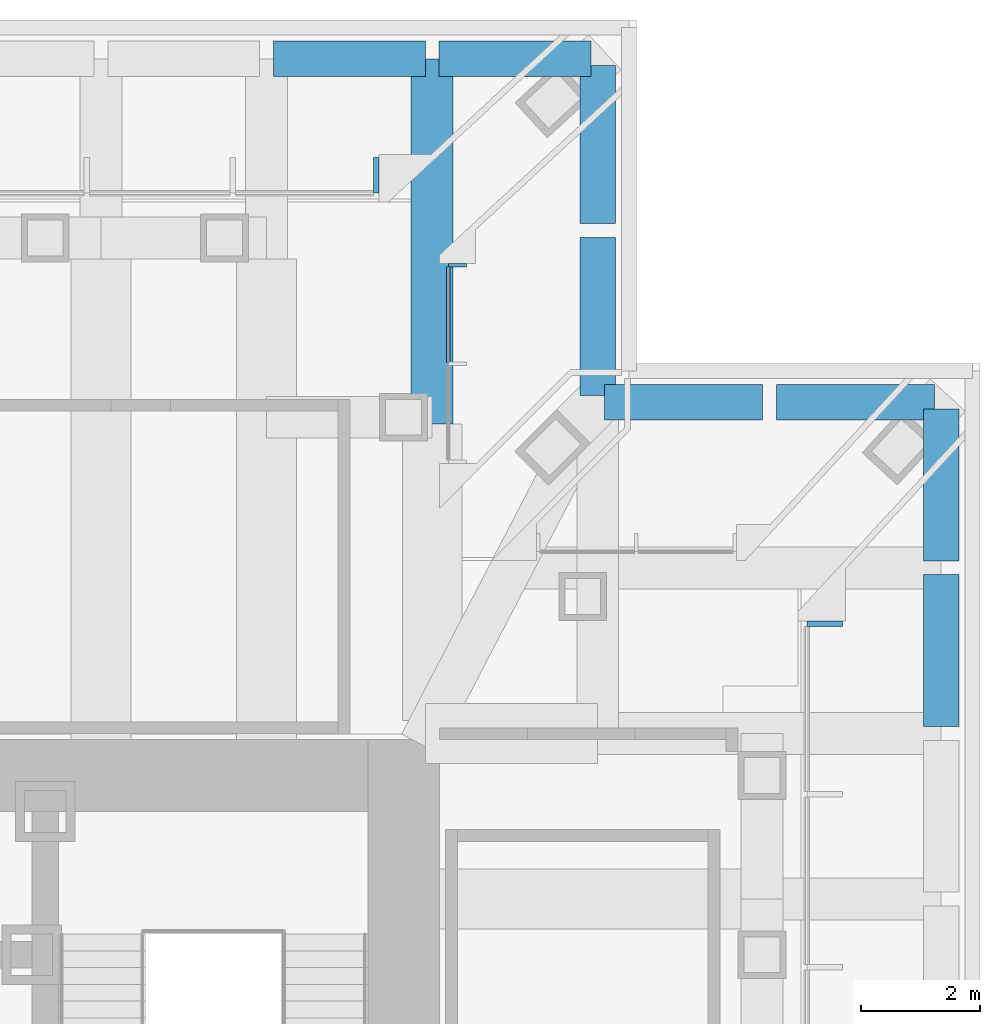
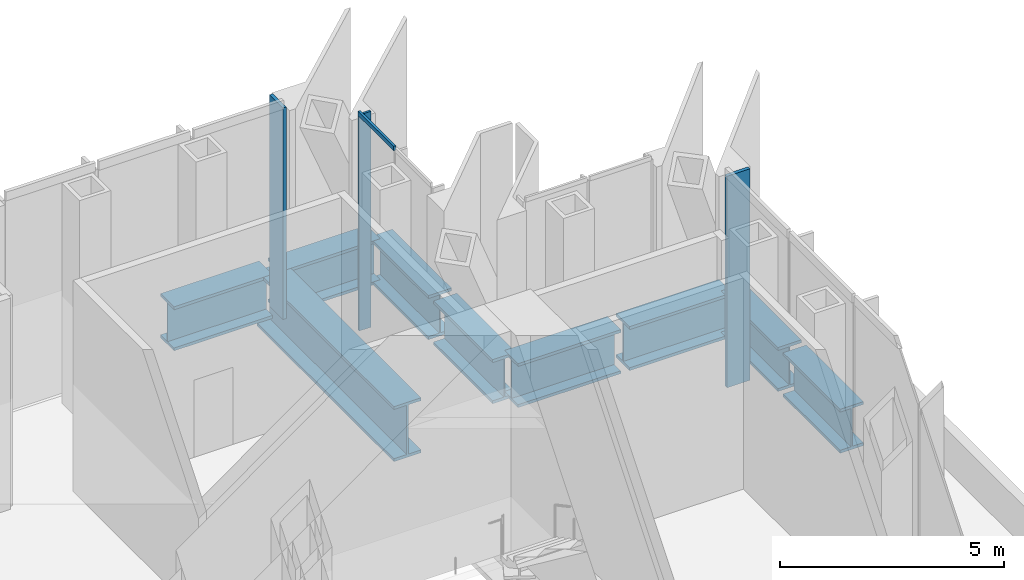
# One storey, part 6 of 13: 9 beams, 4 members, 3 elements without a shape of their own.
"""IFC4 building model written with IfcOpenShell, lengths in metres."""

from ifc_helpers import new_model, si_unit, direction, frame, origin, origin_2d, place, context, subcontext, project, spatial, rectangle, i_section, extrude, material, material_profile, profile_set, type_object, element, aggregate, save


model = new_model("IFC4")

# Units and contexts
model_context = context("Model", 3, precision=1e-05, world=origin(), true_north=direction((0.0, 1.0)))
body_context = subcontext(model_context, "Body", "Model", "MODEL_VIEW")
ifc_project = project(units=[si_unit("LENGTHUNIT", "METRE"), si_unit("AREAUNIT", "SQUARE_METRE"), si_unit("VOLUMEUNIT", "CUBIC_METRE"), si_unit("PLANEANGLEUNIT", "RADIAN"), si_unit("MASSUNIT", "GRAM", prefix="KILO")], contexts=[model_context])

# Site, building, storey
site_placement = place(None, origin())
site = spatial("IfcSite", under=ifc_project, at=site_placement, CompositionType="ELEMENT")
building_placement = place(site_placement, origin())
building = spatial("IfcBuilding", under=site, at=building_placement, Name="Daluyong Arena Tower", CompositionType="ELEMENT")
storey_placement = place(building_placement, frame((0.0, 0.0, 279.699951171875)))
storey = spatial("IfcBuildingStorey", under=building, at=storey_placement, Name="L63", CompositionType="ELEMENT", Elevation=279.699951171875)

# Curtain wall, member
ifc_material_1 = material(Name="Bronze anodised aluminium and glass", Category="aluminium")
curtain_wall_type_1 = type_object("IfcCurtainWallType", Name="Curtain wall CW5", PredefinedType="USERDEFINED", material=ifc_material_1)
curtain_wall_1_placement = place(storey_placement, origin())
curtain_wall_1 = element("IfcCurtainWall", 1, at=curtain_wall_1_placement, inside=storey, type_object=curtain_wall_type_1, Name="curtain wall L63 E", ObjectType="UNITISED CURTAIN WALL", PredefinedType="USERDEFINED")
ifc_material_2 = material(Name="Bronze anodised aluminium fin", Category="aluminium")
ifc_material_profile_1 = material_profile(ifc_material_2, rectangle(XDim=0.60009765625, YDim=0.090087890625, at=origin_2d()))
ifc_profile_set_1 = profile_set([ifc_material_profile_1], Name="Bronze anodised aluminium fin")
member_type_1 = type_object("IfcMemberType", Name="CW5 bronze fin 600x90", PredefinedType="MULLION", material=ifc_profile_set_1)
member_1_placement = place(storey_placement, frame((75.050048828125, 91.54052734375, 0.0), z_axis=(0.0, 0.0, 1.0), x_axis=(-1.0, 0.0, 0.0)))
member_1 = element("IfcMember", 2, at=member_1_placement, type_object=member_type_1, Name="curtain wall L63 E fin 9", PredefinedType="MULLION", context=body_context, shape_type="SweptSolid", body=[
    extrude(rectangle(XDim=0.60009765625, YDim=0.090087890625, at=origin_2d()), origin(), (0.0, 0.0, 1.0), 5.760009765625),
])
aggregate(curtain_wall_1, [member_1])

curtain_wall_2_placement = place(storey_placement, origin())
curtain_wall_2 = element("IfcCurtainWall", 3, at=curtain_wall_2_placement, inside=storey, type_object=curtain_wall_type_1, Name="curtain wall L63 N part 1", ObjectType="UNITISED CURTAIN WALL", PredefinedType="USERDEFINED")
member_2_placement = place(storey_placement, frame((67.54052734375, 99.050048828125, 0.0), z_axis=(0.0, 0.0, 1.0), x_axis=(0.0, -1.0, 0.0)))
member_2 = element("IfcMember", 4, at=member_2_placement, type_object=member_type_1, Name="curtain wall L63 N part 1 fin 1", PredefinedType="MULLION", context=body_context, shape_type="SweptSolid", body=[
    extrude(rectangle(XDim=0.60009765625, YDim=0.090087890625, at=origin_2d()), origin(), (0.0, 0.0, 1.0), 5.760009765625),
])
aggregate(curtain_wall_2, [member_2])

# Curtain wall, members
ifc_material_3 = material(Name="Bronze anodised aluminium and glass", Category="aluminium")
curtain_wall_type_2 = type_object("IfcCurtainWallType", Name="Curtain wall CW7", PredefinedType="USERDEFINED", material=ifc_material_3)
curtain_wall_3_placement = place(storey_placement, origin())
curtain_wall_3 = element("IfcCurtainWall", 5, at=curtain_wall_3_placement, inside=storey, type_object=curtain_wall_type_2, Name="curtain wall L63 NE-E", ObjectType="UNITISED CURTAIN WALL", PredefinedType="USERDEFINED")
ifc_material_4 = material(Name="Bronze anodised aluminium fin", Category="aluminium")
ifc_material_profile_2 = material_profile(ifc_material_4, rectangle(XDim=0.300048828125, YDim=0.06005859375, at=origin_2d()))
ifc_profile_set_2 = profile_set([ifc_material_profile_2], Name="Bronze anodised aluminium fin")
member_type_2 = type_object("IfcMemberType", Name="CW7 bronze fin 300x60", PredefinedType="MULLION", material=ifc_profile_set_2)
member_3_placement = place(storey_placement, frame((68.89990234375, 97.54052734375, 0.0), z_axis=(0.0, 0.0, 1.0), x_axis=(-1.0, 0.0, 0.0)))
member_3 = element("IfcMember", 6, at=member_3_placement, type_object=member_type_2, Name="curtain wall L63 NE-E fin 3", PredefinedType="MULLION", context=body_context, shape_type="SweptSolid", body=[
    extrude(rectangle(XDim=0.300048828125, YDim=0.06005859375, at=origin_2d()), origin(), (0.0, 0.0, 1.0), 5.880126953125),
])
ifc_material_5 = material(Name="Bronze anodised aluminium", Category="aluminium")
ifc_material_profile_3 = material_profile(ifc_material_5, rectangle(XDim=0.06005859375, YDim=0.1201171875, at=origin_2d()))
ifc_profile_set_3 = profile_set([ifc_material_profile_3], Name="Bronze anodised aluminium")
member_type_3 = type_object("IfcMemberType", Name="CW7 stack transom 120x60", PredefinedType="USERDEFINED", material=ifc_profile_set_3)
member_4_placement = place(storey_placement, frame((68.75, 95.92626953125, 5.93994140625), z_axis=(0.0, 1.0, 0.0), x_axis=(-1.0, 0.0, 0.0)))
member_4 = element("IfcMember", 7, at=member_4_placement, type_object=member_type_3, Name="curtain wall L63 NE-E transom 2", ObjectType="TRANSOM", PredefinedType="USERDEFINED", context=body_context, shape_type="SweptSolid", body=[
    extrude(rectangle(XDim=0.06005859375, YDim=0.1201171875, at=origin_2d()), origin(), (0.0, 0.0, 1.0), 1.584228515625),
])
aggregate(curtain_wall_3, [member_3, member_4])

# Beams
ifc_material_6 = material(Name="Steel ASTM A572 Grade 50", Category="steel")
ifc_material_profile_4 = material_profile(ifc_material_6, i_section(OverallWidth=0.60009765625, OverallDepth=1.199951171875, WebThickness=0.03, FlangeThickness=0.08, at=origin_2d()))
ifc_profile_set_4 = profile_set([ifc_material_profile_4], Name="Steel ASTM A572 Grade 50")
beam_type_1 = type_object("IfcBeamType", Name="Spandrel Z4 PG1200X600", PredefinedType="SPANDREL", material=ifc_profile_set_4)
for number, where, z_axis, x_axis, name in (
    (8, (77.0, 89.819580078125, -0.849853515625), (0.0, 1.0, 0.0), (-1.0, 0.0, 0.0), "spandrel z4 SB9"),
    (9, (77.0, 92.59228515625, -0.849853515625), (0.0, 1.0, 0.0), (-1.0, 0.0, 0.0), "spandrel z4 SB9"),
):
    element("IfcBeam", number, at=place(storey_placement, frame(where, z_axis=z_axis, x_axis=x_axis)), inside=storey, type_object=beam_type_1, Name=name, PredefinedType="SPANDREL", context=body_context, shape_type="SweptSolid", body=[
        extrude(i_section(OverallWidth=0.60009765625, OverallDepth=1.199951171875, WebThickness=0.03, FlangeThickness=0.08, at=origin_2d()), origin(), (0.0, 0.0, 1.0), 2.542724609375),
    ])
for number, where, z_axis, x_axis, name in (
    (10, (76.885009765625, 95.25, -0.849853515625), (-1.0, 0.0, 0.0), (0.0, -1.0, 0.0), "spandrel z4 SB9"),
    (11, (74.010009765625, 95.25, -0.849853515625), (-1.0, 0.0, 0.0), (0.0, -1.0, 0.0), "spandrel z4 SB9"),
    (12, (71.25, 95.364990234375, -0.849853515625), (0.0, 1.0, 0.0), (-1.0, 0.0, 0.0), "spandrel z4 SB9"),
    (13, (71.25, 98.239990234375, -0.849853515625), (0.0, 1.0, 0.0), (-1.0, 0.0, 0.0), "spandrel z4 SB9"),
):
    element("IfcBeam", number, at=place(storey_placement, frame(where, z_axis=z_axis, x_axis=x_axis)), inside=storey, type_object=beam_type_1, Name=name, PredefinedType="SPANDREL", context=body_context, shape_type="SweptSolid", body=[
        extrude(i_section(OverallWidth=0.60009765625, OverallDepth=1.199951171875, WebThickness=0.03, FlangeThickness=0.08, at=origin_2d()), origin(), (0.0, 0.0, 1.0), 2.64501953125),
    ])
for number, where, z_axis, x_axis, name in (
    (14, (71.135009765625, 101.0, -0.849853515625), (-1.0, 0.0, 0.0), (0.0, -1.0, 0.0), "spandrel z4 SB9"),
    (15, (68.3623046875, 101.0, -0.849853515625), (-1.0, 0.0, 0.0), (0.0, -1.0, 0.0), "spandrel z4 SB9"),
):
    element("IfcBeam", number, at=place(storey_placement, frame(where, z_axis=z_axis, x_axis=x_axis)), inside=storey, type_object=beam_type_1, Name=name, PredefinedType="SPANDREL", context=body_context, shape_type="SweptSolid", body=[
        extrude(i_section(OverallWidth=0.60009765625, OverallDepth=1.199951171875, WebThickness=0.03, FlangeThickness=0.08, at=origin_2d()), origin(), (0.0, 0.0, 1.0), 2.542724609375),
    ])
ifc_material_7 = material(Name="Steel ASTM A572 Grade 50", Category="steel")
ifc_material_profile_5 = material_profile(ifc_material_7, i_section(OverallWidth=0.699951171875, OverallDepth=1.5, WebThickness=0.04, FlangeThickness=0.08, at=origin_2d()))
ifc_profile_set_5 = profile_set([ifc_material_profile_5], Name="Steel ASTM A572 Grade 50")
beam_type_2 = type_object("IfcBeamType", Name="Transfer beam PG1500X700", PredefinedType="BEAM", material=ifc_profile_set_5)
beam_placement = place(storey_placement, frame((68.477294921875, 101.0, -1.0), z_axis=(0.0, -1.0, 0.0), x_axis=(1.0, 0.0, 0.0)))
element("IfcBeam", 16, at=beam_placement, inside=storey, type_object=beam_type_2, Name="transfer beam TR6", PredefinedType="BEAM", context=body_context, shape_type="SweptSolid", body=[
    extrude(i_section(OverallWidth=0.699951171875, OverallDepth=1.5, WebThickness=0.04, FlangeThickness=0.08, at=origin_2d()), origin(), (0.0, 0.0, 1.0), 6.114990234375),
])

save(model, "model.ifc")
